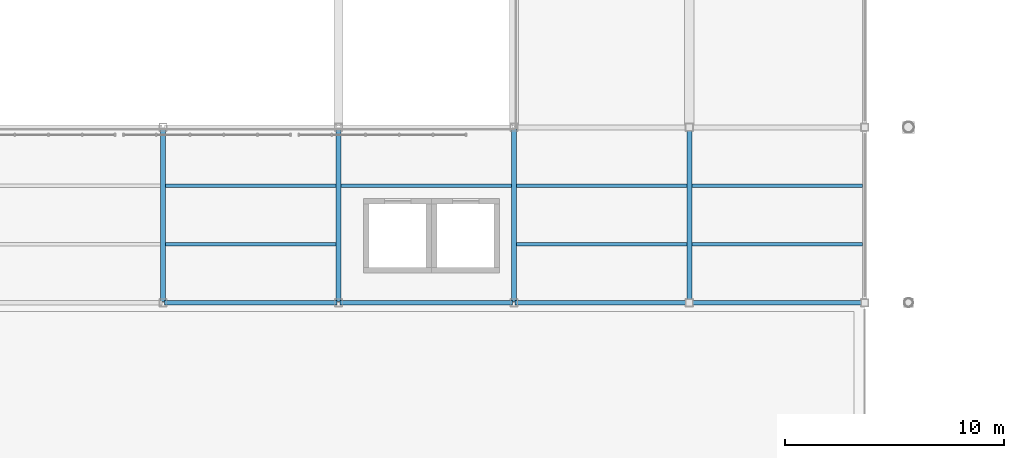
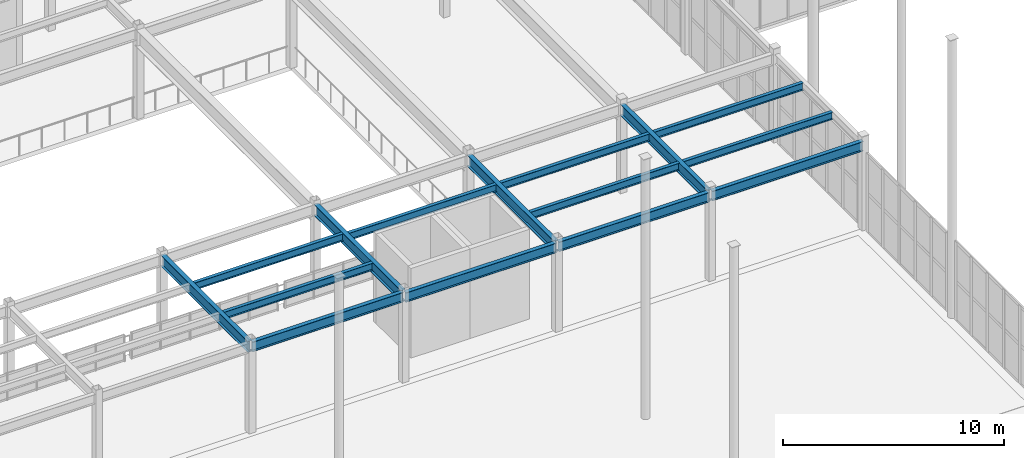
# One storey, part 29 of 77: 15 beams.
"""IFC4 building model written with IfcOpenShell, lengths in metres."""

from ifc_helpers import new_model, si_unit, direction, frame, origin, origin_2d, place, context, subcontext, project, spatial, i_section, extrude, material, material_profile, profile_set, type_object, element, save


model = new_model("IFC4")

# Units and contexts
model_context = context("Model", 3, precision=1e-05, world=origin(), true_north=direction((0.0, 1.0)))
body_context = subcontext(model_context, "Body", "Model", "MODEL_VIEW")
ifc_project = project(units=[si_unit("LENGTHUNIT", "METRE"), si_unit("AREAUNIT", "SQUARE_METRE"), si_unit("VOLUMEUNIT", "CUBIC_METRE"), si_unit("PLANEANGLEUNIT", "RADIAN"), si_unit("MASSUNIT", "GRAM", prefix="KILO")], contexts=[model_context])

# Site, building, storey
site_placement = place(None, origin())
site = spatial("IfcSite", under=ifc_project, at=site_placement, CompositionType="ELEMENT")
building_placement = place(site_placement, origin())
building = spatial("IfcBuilding", under=site, at=building_placement, Name="Drelvath Fold Interchange", CompositionType="ELEMENT")
storey_placement = place(building_placement, frame((0.0, 0.0, 6.0)))
storey = spatial("IfcBuildingStorey", under=building, at=storey_placement, Name="L01", CompositionType="ELEMENT", Elevation=6.0)

# Beams
ifc_material = material(Name="Steel ASTM A992 Grade 50", Category="steel")
ifc_material_profile_1 = material_profile(ifc_material, i_section(OverallWidth=0.177978515625, OverallDepth=0.403076171875, WebThickness=0.007568359375, FlangeThickness=0.010986328125, at=origin_2d()), Name="W16X36")
ifc_profile_set_1 = profile_set([ifc_material_profile_1], Name="Steel ASTM A992 Grade 50")
beam_type_1 = type_object("IfcBeamType", Name="BM-W16X36", PredefinedType="JOIST", material=ifc_profile_set_1)
for number, where, z_axis, x_axis, name in (
    (1, (68.113037109375, 61.6669921875, 4.748046875), (1.0, 0.0, 0.0), (0.0, 1.0, 0.0), "L01 Secondary floor joist BM-W16X36"),
    (2, (68.113037109375, 64.3330078125, 4.748046875), (1.0, 0.0, 0.0), (0.0, 1.0, 0.0), "L01 Secondary floor joist BM-W16X36"),
    (3, (76.113037109375, 64.3330078125, 4.66796875), (1.0, 0.0, 0.0), (0.0, 1.0, 0.0), "L01 Secondary floor joist BM-W16X36"),
    (4, (84.113037109375, 61.6669921875, 4.66796875), (1.0, 0.0, 0.0), (0.0, 1.0, 0.0), "L01 Secondary floor joist BM-W16X36"),
    (5, (84.113037109375, 64.3330078125, 4.66796875), (1.0, 0.0, 0.0), (0.0, 1.0, 0.0), "L01 Secondary floor joist BM-W16X36"),
):
    element("IfcBeam", number, at=place(storey_placement, frame(where, z_axis=z_axis, x_axis=x_axis)), inside=storey, type_object=beam_type_1, Name=name, PredefinedType="JOIST", context=body_context, shape_type="SweptSolid", body=[
        extrude(i_section(OverallWidth=0.177978515625, OverallDepth=0.403076171875, WebThickness=0.007568359375, FlangeThickness=0.010986328125, at=origin_2d()), origin(), (0.0, 0.0, 1.0), 7.77392578125),
    ])
for number, where, z_axis, x_axis, name in (
    (6, (92.113037109375, 61.6669921875, 4.66796875), (1.0, 0.0, 0.0), (0.0, 1.0, 0.0), "L01 Secondary floor joist BM-W16X36"),
    (7, (92.113037109375, 64.3330078125, 4.66796875), (1.0, 0.0, 0.0), (0.0, 1.0, 0.0), "L01 Secondary floor joist BM-W16X36"),
):
    element("IfcBeam", number, at=place(storey_placement, frame(where, z_axis=z_axis, x_axis=x_axis)), inside=storey, type_object=beam_type_1, Name=name, PredefinedType="JOIST", context=body_context, shape_type="SweptSolid", body=[
        extrude(i_section(OverallWidth=0.177978515625, OverallDepth=0.403076171875, WebThickness=0.007568359375, FlangeThickness=0.010986328125, at=origin_2d()), origin(), (0.0, 0.0, 1.0), 7.783935546875),
    ])
ifc_material_profile_2 = material_profile(ifc_material, i_section(OverallWidth=0.2099609375, OverallDepth=0.537109375, WebThickness=0.010986328125, FlangeThickness=0.017333984375, at=origin_2d()), Name="W21X68")
ifc_profile_set_2 = profile_set([ifc_material_profile_2], Name="Steel ASTM A992 Grade 50")
beam_type_2 = type_object("IfcBeamType", Name="BM-W21X68", PredefinedType="SPANDREL", material=ifc_profile_set_2)
for number, where, z_axis, x_axis, name in (
    (8, (68.06005859375, 59.0, 4.680908203125), (1.0, 0.0, 0.0), (0.0, 1.0, 0.0), "L01 Primary X girder BM-W21X68"),
    (9, (76.06005859375, 59.0, 4.60107421875), (1.0, 0.0, 0.0), (0.0, 1.0, 0.0), "L01 Primary X girder BM-W21X68"),
    (10, (84.06005859375, 59.0, 4.60107421875), (1.0, 0.0, 0.0), (0.0, 1.0, 0.0), "L01 Primary X girder BM-W21X68"),
    (11, (92.06005859375, 59.0, 4.60107421875), (1.0, 0.0, 0.0), (0.0, 1.0, 0.0), "L01 Primary X girder BM-W21X68"),
):
    element("IfcBeam", number, at=place(storey_placement, frame(where, z_axis=z_axis, x_axis=x_axis)), inside=storey, type_object=beam_type_2, Name=name, PredefinedType="SPANDREL", context=body_context, shape_type="SweptSolid", body=[
        extrude(i_section(OverallWidth=0.2099609375, OverallDepth=0.537109375, WebThickness=0.010986328125, FlangeThickness=0.017333984375, at=origin_2d()), origin(), (0.0, 0.0, 1.0), 7.8798828125),
    ])
ifc_material_profile_3 = material_profile(ifc_material, i_section(OverallWidth=0.22998046875, OverallDepth=0.616943359375, WebThickness=0.01318359375, FlangeThickness=0.022216796875, at=origin_2d()), Name="W24X94")
ifc_profile_set_3 = profile_set([ifc_material_profile_3], Name="Steel ASTM A992 Grade 50")
beam_type_3 = type_object("IfcBeamType", Name="BM-W24X94", PredefinedType="BEAM", material=ifc_profile_set_3)
for number, where, z_axis, x_axis, name in (
    (12, (68.0, 59.06005859375, 4.64111328125), (0.0, 1.0, 0.0), (-1.0, 0.0, 0.0), "L01 Primary Y girder BM-W24X94"),
    (13, (76.0, 59.06005859375, 4.64111328125), (0.0, 1.0, 0.0), (-1.0, 0.0, 0.0), "L01 Primary Y girder BM-W24X94"),
    (14, (84.0, 59.06005859375, 4.56103515625), (0.0, 1.0, 0.0), (-1.0, 0.0, 0.0), "L01 Primary Y girder BM-W24X94"),
    (15, (92.0, 59.06005859375, 4.56103515625), (0.0, 1.0, 0.0), (-1.0, 0.0, 0.0), "L01 Primary Y girder BM-W24X94"),
):
    element("IfcBeam", number, at=place(storey_placement, frame(where, z_axis=z_axis, x_axis=x_axis)), inside=storey, type_object=beam_type_3, Name=name, PredefinedType="BEAM", context=body_context, shape_type="SweptSolid", body=[
        extrude(i_section(OverallWidth=0.22998046875, OverallDepth=0.616943359375, WebThickness=0.01318359375, FlangeThickness=0.022216796875, at=origin_2d()), origin(), (0.0, 0.0, 1.0), 7.8798828125),
    ])

save(model, "model.ifc")
